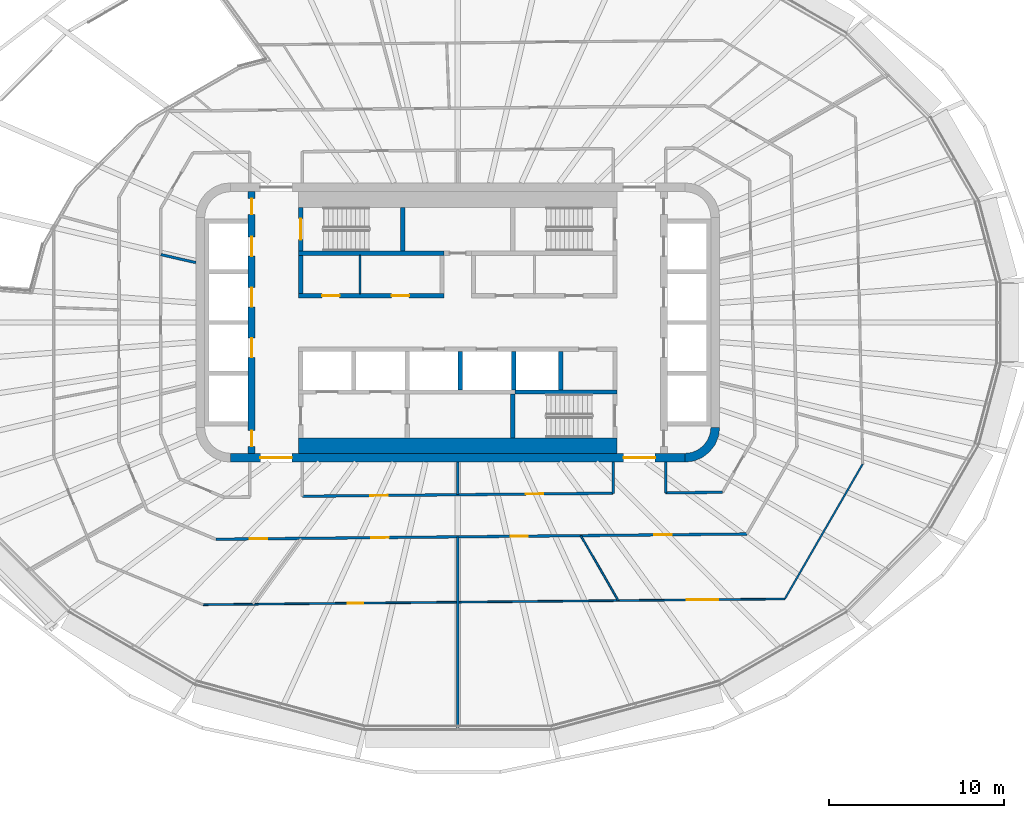
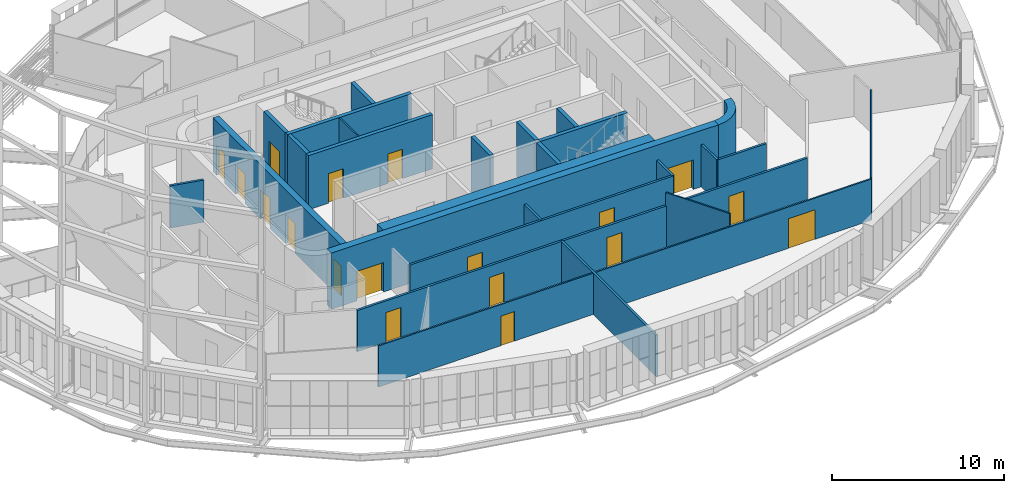
# One storey, part 12 of 22: 26 walls, 18 doors, 18 openings.
"""IFC4 building model written with IfcOpenShell, lengths in metres."""

import ifcopenshell
import ifcopenshell.guid

model = None  # the IFC model being written
_history = None  # IfcOwnerHistory: only IFC2X3 demands one
_inside = {}  # id of a spatial element -> (the spatial element, [elements in it])
_under = {}  # id of a project, library or spatial element -> (it, [spatial elements below it])
_declared = {}  # id of a project -> (the project, [libraries it declares])
_typed = {}  # id of a type object -> (the type object, [elements of that type])
_made_of = {}  # id of a material, layer set ... -> (it, [elements and type objects made of it])


def new_model(schema):
    """Start an empty IFC model of exactly this schema.

    Asked for "IFC4X3", IfcOpenShell would pick the latest addendum, in which some entities
    have other attributes; the version numbers below select the first issue.
    IFC2X3 requires an IfcOwnerHistory on every rooted entity: one is made here for all.
    """
    global model, _history
    if schema == "IFC4X3":
        model = ifcopenshell.file(schema_version=(4, 3, 0, 0))
    else:
        model = ifcopenshell.file(schema=schema)
    _inside.clear()
    _under.clear()
    _declared.clear()
    _typed.clear()
    _made_of.clear()
    _history = None
    if model.schema == "IFC2X3":
        org = make("IfcOrganization", Name="unknown")
        user = make(
            "IfcPersonAndOrganization",
            ThePerson=make("IfcPerson", FamilyName="unknown"),
            TheOrganization=org,
        )
        app = make(
            "IfcApplication",
            ApplicationDeveloper=org,
            Version="unknown",
            ApplicationFullName="unknown",
            ApplicationIdentifier="unknown",
        )
        _history = make(
            "IfcOwnerHistory",
            OwningUser=user,
            OwningApplication=app,
            ChangeAction="ADDED",
            CreationDate=0,
        )
    return model


def make(cls, **values):
    """One entity of the class cls with the attributes given. An attribute that is None is left unset."""
    return model.create_entity(
        cls, **{name: value for name, value in values.items() if value is not None}
    )


def rooted(cls, **values):
    """An entity with a GlobalId (a new one), such as an element, a storey or a relation."""
    return make(cls, GlobalId=ifcopenshell.guid.new(), OwnerHistory=_history, **values)


def si_unit(unit_type, name, prefix=None):
    """IfcSIUnit, for example si_unit("LENGTHUNIT", "METRE", prefix="MILLI")."""
    return make("IfcSIUnit", UnitType=unit_type, Prefix=prefix, Name=name)


def assignment(units):
    """IfcUnitAssignment: the units of a project."""
    return None if units is None else make("IfcUnitAssignment", Units=units)


def point(xyz):
    """IfcCartesianPoint."""
    return None if xyz is None else make("IfcCartesianPoint", Coordinates=xyz)


def direction(xyz):
    """IfcDirection."""
    return None if xyz is None else make("IfcDirection", DirectionRatios=xyz)


def frame(location, z_axis=None, x_axis=None):
    """IfcAxis2Placement3D, a coordinate frame: its origin and axes. An axis left out is left unset."""
    return make(
        "IfcAxis2Placement3D",
        Location=point(location),
        Axis=direction(z_axis),
        RefDirection=direction(x_axis),
    )


def frame_2d(location, x_axis=None):
    """IfcAxis2Placement2D, a coordinate frame in the plane: its origin and x axis."""
    return make(
        "IfcAxis2Placement2D", Location=point(location), RefDirection=direction(x_axis)
    )


def origin():
    """The frame at (0, 0, 0) with its axes left unset."""
    return frame((0.0, 0.0, 0.0))


def place(relative_to, where):
    """IfcLocalPlacement: puts the frame where relative to a parent placement (None: the world)."""
    return make(
        "IfcLocalPlacement", PlacementRelTo=relative_to, RelativePlacement=where
    )


def context(
    kind, dimensions, precision=None, world=None, true_north=None, identifier=None
):
    """IfcGeometricRepresentationContext, for example the 3D "Model" context."""
    return make(
        "IfcGeometricRepresentationContext",
        ContextIdentifier=identifier,
        ContextType=kind,
        CoordinateSpaceDimension=dimensions,
        Precision=precision,
        WorldCoordinateSystem=world,
        TrueNorth=true_north,
    )


def subcontext(parent, identifier, kind, view, scale=None):
    """IfcGeometricRepresentationSubContext, for example "Body" below "Model"."""
    return make(
        "IfcGeometricRepresentationSubContext",
        ContextIdentifier=identifier,
        ContextType=kind,
        ParentContext=parent,
        TargetScale=scale,
        TargetView=view,
    )


def project(units=None, contexts=None):
    """IfcProject with its units and contexts."""
    return rooted(
        "IfcProject",
        Name="project",
        RepresentationContexts=contexts,
        UnitsInContext=assignment(units),
    )


def spatial(cls, under=None, at=None, **own):
    """A site, building, storey or space (cls), placed at a placement, below another one or the project."""
    s = rooted(cls, ObjectPlacement=at, **own)
    if under is not None:
        _under.setdefault(under.id(), (under, []))[1].append(s)
    return s


def polyline(points):
    """IfcPolyline through the points."""
    return make("IfcPolyline", Points=[point(p) for p in points])


def profile(cls, at=None, kind="AREA", **sizes):
    """A parametric profile (cls). Its sizes go by their IFC names, for example OverallWidth=200.0."""
    return make(cls, ProfileType=kind, Position=at, **sizes)


def rectangle(**sizes):
    """IfcRectangleProfileDef."""
    return profile("IfcRectangleProfileDef", **sizes)


def outline(outer, holes=None, kind="AREA"):
    """IfcArbitraryClosedProfileDef: a profile drawn as a closed curve; with holes, ...WithVoids."""
    if holes is None:
        return make("IfcArbitraryClosedProfileDef", ProfileType=kind, OuterCurve=outer)
    return make(
        "IfcArbitraryProfileDefWithVoids",
        ProfileType=kind,
        OuterCurve=outer,
        InnerCurves=holes,
    )


def extrude(swept, where, along, depth):
    """IfcExtrudedAreaSolid: the profile swept, set in the frame where, extruded along a direction by depth."""
    return make(
        "IfcExtrudedAreaSolid",
        SweptArea=swept,
        Position=where,
        ExtrudedDirection=direction(along),
        Depth=depth,
    )


def shape(context_of_items, identifier, shape_type, items):
    """IfcShapeRepresentation: the items that make up one representation, for example the "Body"."""
    return make(
        "IfcShapeRepresentation",
        ContextOfItems=context_of_items,
        RepresentationIdentifier=identifier,
        RepresentationType=shape_type,
        Items=items,
    )


def material(Name=None, Category=None):
    """IfcMaterial."""
    return make("IfcMaterial", Name=Name, Category=Category)


def layer(
    of_material, thickness, ventilated=None, Name=None, Category=None, Priority=None
):
    """IfcMaterialLayer: one layer of a wall or slab, of a material (None: an air gap)."""
    return make(
        "IfcMaterialLayer",
        Material=of_material,
        LayerThickness=thickness,
        IsVentilated=ventilated,
        Name=Name,
        Category=Category,
        Priority=Priority,
    )


def layer_set(layers, Name=None):
    """IfcMaterialLayerSet."""
    return make("IfcMaterialLayerSet", MaterialLayers=layers, LayerSetName=Name)


def made_of(thing, what):
    """Note that an element or type object is made of a material, layer set ...; save() writes the relation."""
    if what is not None:
        _made_of.setdefault(what.id(), (what, []))[1].append(thing)
    return thing


def type_object(cls, material=None, **own):
    """A type object (cls), such as IfcWallType, which elements share."""
    return made_of(rooted(cls, **own), material)


def element(
    cls,
    number,
    at=None,
    inside=None,
    cuts=None,
    type_object=None,
    material=None,
    context=None,
    identifier="Body",
    shape_type=None,
    held_by="IfcProductDefinitionShape",
    body=None,
    shapes=None,
    **own,
):
    """One element of the class cls, such as IfcWall. Its Tag is "e" and its number.

    at: its placement. inside: the storey or other place that contains it. cuts: it is an
    opening in that element (IfcRelVoidsElement). A single representation is given by context,
    identifier, shape_type and body (its items); several are given by shapes. held_by: the class
    of the entity that holds the representations. save() writes the other relations.
    """
    e = rooted(cls, Tag="e%d" % number, ObjectPlacement=at, **own)
    if body is not None:
        shapes = [shape(context, identifier, shape_type, body)]
    if shapes is not None:
        e.Representation = make(held_by, Representations=shapes)
    if inside is not None:
        _inside.setdefault(inside.id(), (inside, []))[1].append(e)
    if cuts is not None:
        rooted(
            "IfcRelVoidsElement", RelatingBuildingElement=cuts, RelatedOpeningElement=e
        )
    if type_object is not None:
        _typed.setdefault(type_object.id(), (type_object, []))[1].append(e)
    return made_of(e, material)


def fill(opening, filler):
    """IfcRelFillsElement: the door or window that sits in an opening."""
    return rooted(
        "IfcRelFillsElement",
        RelatingOpeningElement=opening,
        RelatedBuildingElement=filler,
    )


def aggregate(whole, parts):
    """IfcRelAggregates: a whole, such as a stair, and the parts it consists of."""
    return rooted("IfcRelAggregates", RelatingObject=whole, RelatedObjects=parts)


def save(model, path):
    """Write the relations noted so far, then the file.

    IfcRelAggregates (storeys below a building ...), IfcRelContainedInSpatialStructure (elements
    in a storey), IfcRelDefinesByType, IfcRelAssociatesMaterial and IfcRelDeclares: one each for
    every whole, place, type object, material and project.
    """
    for whole, parts in _under.values():
        aggregate(whole, parts)
    for where, things in _inside.values():
        rooted(
            "IfcRelContainedInSpatialStructure",
            RelatedElements=things,
            RelatingStructure=where,
        )
    for kind, things in _typed.values():
        rooted("IfcRelDefinesByType", RelatedObjects=things, RelatingType=kind)
    for what, things in _made_of.values():
        rooted("IfcRelAssociatesMaterial", RelatedObjects=things, RelatingMaterial=what)
    for by, libraries in _declared.values():
        rooted("IfcRelDeclares", RelatingContext=by, RelatedDefinitions=libraries)
    model.write(path)


model = new_model("IFC4")

# Units and contexts
model_context = context("Model", 3, precision=1e-05, world=origin(), true_north=direction((0.0, 1.0)))
body_context = subcontext(model_context, "Body", "Model", "MODEL_VIEW")
ifc_project = project(units=[si_unit("LENGTHUNIT", "METRE"), si_unit("AREAUNIT", "SQUARE_METRE"), si_unit("VOLUMEUNIT", "CUBIC_METRE"), si_unit("PLANEANGLEUNIT", "RADIAN"), si_unit("MASSUNIT", "GRAM", prefix="KILO")], contexts=[model_context])

# Site, building, storey
site_placement = place(None, origin())
site = spatial("IfcSite", under=ifc_project, at=site_placement, CompositionType="ELEMENT")
building_placement = place(site_placement, origin())
building = spatial("IfcBuilding", under=site, at=building_placement, Name="Sahrelin Media Tower", CompositionType="ELEMENT")
storey_placement = place(building_placement, frame((0.0, 0.0, 177.60009765625)))
storey = spatial("IfcBuildingStorey", under=building, at=storey_placement, Name="L37", CompositionType="ELEMENT", Elevation=177.60009765625)

# Wall, openings, doors
ifc_material_1 = material(Name="Concrete C60/75", Category="concrete")
ifc_layer_1 = layer(ifc_material_1, 0.5)
ifc_layer_set_1 = layer_set([ifc_layer_1], Name="Core wall 500")
wall_type_1 = type_object("IfcWallType", Name="Core wall 500", PredefinedType="SHEAR", material=ifc_layer_set_1)
wall_1_placement = place(storey_placement, frame((-13.0, -7.75, 0.0), z_axis=(0.0, 0.0, 1.0), x_axis=(1.0, 0.0, 0.0)))
wall_1 = element("IfcWall", 1, at=wall_1_placement, inside=storey, type_object=wall_type_1, Name="Core wall S L37", PredefinedType="SHEAR", context=body_context, shape_type="SweptSolid", body=[
    extrude(rectangle(XDim=26.0, YDim=0.5, at=frame_2d((13.0, 0.0))), origin(), (0.0, 0.0, 1.0), 4.0),
])
opening_1_placement = place(wall_1_placement, frame((1.699951171875, 0.0, 0.0)))
opening_1 = element("IfcOpeningElement", 2, at=opening_1_placement, cuts=wall_1, Name="Opening L37-D18", PredefinedType="OPENING", context=body_context, shape_type="SweptSolid", body=[
    extrude(rectangle(XDim=1.800048828125, YDim=2.10009765625, at=frame_2d((0.89990234375, 1.050048828125))), frame((0.0, 0.25, 0.0), z_axis=(0.0, -1.0, 0.0), x_axis=(1.0, 0.0, 0.0)), (0.0, 0.0, 1.0), 0.5),
])
opening_2_placement = place(wall_1_placement, frame((22.5, 0.0, 0.0)))
opening_2 = element("IfcOpeningElement", 3, at=opening_2_placement, cuts=wall_1, Name="Opening L37-D19", PredefinedType="OPENING", context=body_context, shape_type="SweptSolid", body=[
    extrude(rectangle(XDim=1.800048828125, YDim=2.10009765625, at=frame_2d((0.89990234375, 1.050048828125))), frame((0.0, 0.25, 0.0), z_axis=(0.0, -1.0, 0.0), x_axis=(1.0, 0.0, 0.0)), (0.0, 0.0, 1.0), 0.5),
])
ifc_material_2 = material(Name="Steel fire door leaf", Category="steel")
door_type_1 = type_object("IfcDoorType", Name="Lobby double door 1800 x 2100 EI 60", OperationType="DOUBLE_DOOR_SINGLE_SWING", PredefinedType="DOOR", material=ifc_material_2)
door_1_placement = place(opening_1_placement, origin())
door_1 = element("IfcDoor", 4, at=door_1_placement, inside=storey, type_object=door_type_1, Name="Lobby door", OperationType="DOUBLE_DOOR_SINGLE_SWING", OverallHeight=2.10009765625, OverallWidth=1.800048828125, PredefinedType="DOOR", context=body_context, shape_type="SweptSolid", body=[
    extrude(rectangle(XDim=1.800048828125, YDim=2.10009765625, at=frame_2d((0.89990234375, 1.050048828125))), frame((0.0, 0.02490234375, 0.0), z_axis=(0.0, -1.0, 0.0), x_axis=(1.0, 0.0, 0.0)), (0.0, 0.0, 1.0), 0.050048828125),
])
fill(opening_1, door_1)
door_2_placement = place(opening_2_placement, origin())
door_2 = element("IfcDoor", 5, at=door_2_placement, inside=storey, type_object=door_type_1, Name="Lobby door", OperationType="DOUBLE_DOOR_SINGLE_SWING", OverallHeight=2.10009765625, OverallWidth=1.800048828125, PredefinedType="DOOR", context=body_context, shape_type="SweptSolid", body=[
    extrude(rectangle(XDim=1.800048828125, YDim=2.10009765625, at=frame_2d((0.89990234375, 1.050048828125))), frame((0.0, 0.02490234375, 0.0), z_axis=(0.0, -1.0, 0.0), x_axis=(1.0, 0.0, 0.0)), (0.0, 0.0, 1.0), 0.050048828125),
])
fill(opening_2, door_2)

# Wall
wall_2_placement = place(storey_placement, origin())
element("IfcWall", 6, at=wall_2_placement, inside=storey, type_object=wall_type_1, Name="Core wall corner SE L37", PredefinedType="SHEAR", context=body_context, shape_type="SweptSolid", body=[
    extrude(outline(polyline([(15.0, -6.0), (14.49560546875, -6.0), (14.44482421875, -6.38720703125), (14.29541015625, -6.747802734375), (14.0576171875, -7.0576171875), (13.747802734375, -7.29541015625), (13.38720703125, -7.44482421875), (13.0, -7.49560546875), (13.0, -8.0), (13.517578125, -7.931884765625), (14.0, -7.732177734375), (14.414306640625, -7.414306640625), (14.732177734375, -7.0), (14.931884765625, -6.517578125), (15.0, -6.0)])), origin(), (0.0, 0.0, 1.0), 4.0),
])

# Wall, openings, doors
ifc_material_3 = material(Name="Fire-rated gypsum board partition")
ifc_layer_2 = layer(ifc_material_3, 0.25)
ifc_layer_set_2 = layer_set([ifc_layer_2], Name="Fire-rated lobby wall 250")
wall_type_2 = type_object("IfcWallType", Name="Fire-rated lobby wall 250", PredefinedType="PARTITIONING", material=ifc_layer_set_2)
wall_3_placement = place(storey_placement, frame((-9.125, 1.52490234375, 0.0), z_axis=(0.0, 0.0, 1.0), x_axis=(1.0, 0.0, 0.0)))
wall_3 = element("IfcWall", 7, at=wall_3_placement, inside=storey, type_object=wall_type_2, Name="Core lobby wall", PredefinedType="PARTITIONING", context=body_context, shape_type="SweptSolid", body=[
    extrude(rectangle(XDim=8.35009765625, YDim=0.25, at=frame_2d((4.175048828125, 0.0))), origin(), (0.0, 0.0, 1.0), 3.849853515625),
])
opening_3_placement = place(wall_3_placement, frame((1.362548828125, 0.0, 0.0)))
opening_3 = element("IfcOpeningElement", 8, at=opening_3_placement, cuts=wall_3, Name="Opening L37-D07", PredefinedType="OPENING", context=body_context, shape_type="SweptSolid", body=[
    extrude(rectangle(XDim=1.0, YDim=2.10009765625, at=frame_2d((0.5, 1.050048828125))), frame((0.0, 0.125, 0.0), z_axis=(0.0, -1.0, 0.0), x_axis=(1.0, 0.0, 0.0)), (0.0, 0.0, 1.0), 0.25),
])
opening_4_placement = place(wall_3_placement, frame((5.33740234375, 0.0, 0.0)))
opening_4 = element("IfcOpeningElement", 9, at=opening_4_placement, cuts=wall_3, Name="Opening L37-D08", PredefinedType="OPENING", context=body_context, shape_type="SweptSolid", body=[
    extrude(rectangle(XDim=1.0, YDim=2.10009765625, at=frame_2d((0.5, 1.050048828125))), frame((0.0, 0.125, 0.0), z_axis=(0.0, -1.0, 0.0), x_axis=(1.0, 0.0, 0.0)), (0.0, 0.0, 1.0), 0.25),
])
door_type_2 = type_object("IfcDoorType", Name="Fire door 1000 x 2100 EI 60", OperationType="NOTDEFINED", PredefinedType="DOOR", material=ifc_material_2)
door_3_placement = place(opening_3_placement, origin())
door_3 = element("IfcDoor", 10, at=door_3_placement, inside=storey, type_object=door_type_2, Name="Core room door", OperationType="SINGLE_SWING_LEFT", OverallHeight=2.10009765625, OverallWidth=1.0, PredefinedType="DOOR", context=body_context, shape_type="SweptSolid", body=[
    extrude(rectangle(XDim=1.0, YDim=2.10009765625, at=frame_2d((0.5, 1.050048828125))), frame((0.0, 0.02490234375, 0.0), z_axis=(0.0, -1.0, 0.0), x_axis=(1.0, 0.0, 0.0)), (0.0, 0.0, 1.0), 0.050048828125),
])
fill(opening_3, door_3)
door_4_placement = place(opening_4_placement, origin())
door_4 = element("IfcDoor", 11, at=door_4_placement, inside=storey, type_object=door_type_2, Name="Core room door", OperationType="SINGLE_SWING_LEFT", OverallHeight=2.10009765625, OverallWidth=1.0, PredefinedType="DOOR", context=body_context, shape_type="SweptSolid", body=[
    extrude(rectangle(XDim=1.0, YDim=2.10009765625, at=frame_2d((0.5, 1.050048828125))), frame((0.0, 0.02490234375, 0.0), z_axis=(0.0, -1.0, 0.0), x_axis=(1.0, 0.0, 0.0)), (0.0, 0.0, 1.0), 0.050048828125),
])
fill(opening_4, door_4)

# Walls
wall_4_placement = place(storey_placement, frame((-9.0, 1.64990234375, 0.0), z_axis=(0.0, 0.0, 1.0), x_axis=(0.0, 1.0, 0.0)))
element("IfcWall", 12, at=wall_4_placement, inside=storey, type_object=wall_type_2, Name="Core lobby wall", PredefinedType="PARTITIONING", context=body_context, shape_type="SweptSolid", body=[
    extrude(rectangle(XDim=2.2001953125, YDim=0.25, at=frame_2d((1.10009765625, 0.0))), origin(), (0.0, 0.0, 1.0), 3.849853515625),
])
ifc_layer_3 = layer(ifc_material_3, 0.10009765625)
ifc_layer_set_3 = layer_set([ifc_layer_3], Name="Fire-rated partition 100")
wall_type_3 = type_object("IfcWallType", Name="Fire-rated partition 100", PredefinedType="PARTITIONING", material=ifc_layer_set_3)
wall_5_placement = place(storey_placement, frame((-5.60009765625, 1.64990234375, 0.0), z_axis=(0.0, 0.0, 1.0), x_axis=(0.0, 1.0, 0.0)))
element("IfcWall", 13, at=wall_5_placement, inside=storey, type_object=wall_type_3, Name="Core room partition", PredefinedType="PARTITIONING", context=body_context, shape_type="SweptSolid", body=[
    extrude(rectangle(XDim=2.2001953125, YDim=0.10009765625, at=frame_2d((1.10009765625, 0.0))), origin(), (0.0, 0.0, 1.0), 3.849853515625),
])
ifc_layer_4 = layer(ifc_material_3, 0.14990234375)
ifc_layer_set_4 = layer_set([ifc_layer_4], Name="Fire-rated partition 150")
wall_type_4 = type_object("IfcWallType", Name="Fire-rated partition 150", PredefinedType="PARTITIONING", material=ifc_layer_set_4)
wall_6_placement = place(storey_placement, frame((-17.0, 3.889892578125, 0.0), z_axis=(0.0, 0.0, 1.0), x_axis=(0.974792736312, -0.223112351146, 0.0)))
element("IfcWall", 14, at=wall_6_placement, inside=storey, type_object=wall_type_4, Name="Wall", PredefinedType="PARTITIONING", context=body_context, shape_type="SweptSolid", body=[
    extrude(rectangle(XDim=2.0517578125, YDim=0.14990234375, at=frame_2d((1.02587890625, 0.0))), origin(), (0.0, 0.0, 1.0), 2.994873046875),
])

# Wall, openings, doors
wall_7_placement = place(storey_placement, frame((-13.85498046875, -12.409423828125, 0.0), z_axis=(0.0, 0.0, 1.0), x_axis=(0.999951009258, 0.009898438446, 0.0)))
wall_7 = element("IfcWall", 15, at=wall_7_placement, inside=storey, type_object=wall_type_4, Name="Wall", PredefinedType="PARTITIONING", context=body_context, shape_type="SweptSolid", body=[
    extrude(rectangle(XDim=30.411376953125, YDim=0.14990234375, at=frame_2d((15.20556640625, 0.0))), origin(), (0.0, 0.0, 1.0), 2.927001953125),
])
opening_5_placement = place(wall_7_placement, frame((16.87744140625, 0.0, 0.0)))
opening_5 = element("IfcOpeningElement", 16, at=opening_5_placement, cuts=wall_7, Name="Opening L37-D30", PredefinedType="OPENING", context=body_context, shape_type="SweptSolid", body=[
    extrude(rectangle(XDim=1.0, YDim=2.10009765625, at=frame_2d((0.5, 1.050048828125))), frame((0.0, 0.074951171875, 0.0), z_axis=(0.0, -1.0, 0.0), x_axis=(1.0, 0.0, 0.0)), (0.0, 0.0, 1.0), 0.14990234375),
])
opening_6_placement = place(wall_7_placement, frame((25.10595703125, 0.0, 0.0)))
opening_6 = element("IfcOpeningElement", 17, at=opening_6_placement, cuts=wall_7, Name="Opening L37-D31", PredefinedType="OPENING", context=body_context, shape_type="SweptSolid", body=[
    extrude(rectangle(XDim=1.0, YDim=2.10009765625, at=frame_2d((0.5, 1.050048828125))), frame((0.0, 0.074951171875, 0.0), z_axis=(0.0, -1.0, 0.0), x_axis=(1.0, 0.0, 0.0)), (0.0, 0.0, 1.0), 0.14990234375),
])
opening_7_placement = place(wall_7_placement, frame((1.93701171875, 0.0, 0.0)))
opening_7 = element("IfcOpeningElement", 18, at=opening_7_placement, cuts=wall_7, Name="Opening L37-D47", PredefinedType="OPENING", context=body_context, shape_type="SweptSolid", body=[
    extrude(rectangle(XDim=1.0, YDim=2.10009765625, at=frame_2d((0.5, 1.050048828125))), frame((0.0, 0.074951171875, 0.0), z_axis=(0.0, -1.0, 0.0), x_axis=(1.0, 0.0, 0.0)), (0.0, 0.0, 1.0), 0.14990234375),
])
opening_8_placement = place(wall_7_placement, frame((8.915283203125, 0.0, 0.0)))
opening_8 = element("IfcOpeningElement", 19, at=opening_8_placement, cuts=wall_7, Name="Opening L37-D48", PredefinedType="OPENING", context=body_context, shape_type="SweptSolid", body=[
    extrude(rectangle(XDim=1.0, YDim=2.10009765625, at=frame_2d((0.5, 1.050048828125))), frame((0.0, 0.074951171875, 0.0), z_axis=(0.0, -1.0, 0.0), x_axis=(1.0, 0.0, 0.0)), (0.0, 0.0, 1.0), 0.14990234375),
])
door_5_placement = place(opening_5_placement, origin())
door_5 = element("IfcDoor", 20, at=door_5_placement, inside=storey, type_object=door_type_2, Name="Fire door", OperationType="SINGLE_SWING_RIGHT", OverallHeight=2.10009765625, OverallWidth=1.0, PredefinedType="DOOR", context=body_context, shape_type="SweptSolid", body=[
    extrude(rectangle(XDim=1.0, YDim=2.10009765625, at=frame_2d((0.5, 1.050048828125))), frame((0.0, 0.02490234375, 0.0), z_axis=(0.0, -1.0, 0.0), x_axis=(1.0, 0.0, 0.0)), (0.0, 0.0, 1.0), 0.050048828125),
])
fill(opening_5, door_5)
door_6_placement = place(opening_6_placement, origin())
door_6 = element("IfcDoor", 21, at=door_6_placement, inside=storey, type_object=door_type_2, Name="Fire door", OperationType="SINGLE_SWING_RIGHT", OverallHeight=2.10009765625, OverallWidth=1.0, PredefinedType="DOOR", context=body_context, shape_type="SweptSolid", body=[
    extrude(rectangle(XDim=1.0, YDim=2.10009765625, at=frame_2d((0.5, 1.050048828125))), frame((0.0, 0.02490234375, 0.0), z_axis=(0.0, -1.0, 0.0), x_axis=(1.0, 0.0, 0.0)), (0.0, 0.0, 1.0), 0.050048828125),
])
fill(opening_6, door_6)
door_7_placement = place(opening_7_placement, origin())
door_7 = element("IfcDoor", 22, at=door_7_placement, inside=storey, type_object=door_type_2, Name="Fire door", OperationType="SINGLE_SWING_LEFT", OverallHeight=2.10009765625, OverallWidth=1.0, PredefinedType="DOOR", context=body_context, shape_type="SweptSolid", body=[
    extrude(rectangle(XDim=1.0, YDim=2.10009765625, at=frame_2d((0.5, 1.050048828125))), frame((0.0, 0.02490234375, 0.0), z_axis=(0.0, -1.0, 0.0), x_axis=(1.0, 0.0, 0.0)), (0.0, 0.0, 1.0), 0.050048828125),
])
fill(opening_7, door_7)
door_8_placement = place(opening_8_placement, origin())
door_8 = element("IfcDoor", 23, at=door_8_placement, inside=storey, type_object=door_type_2, Name="Fire door", OperationType="SINGLE_SWING_LEFT", OverallHeight=2.10009765625, OverallWidth=1.0, PredefinedType="DOOR", context=body_context, shape_type="SweptSolid", body=[
    extrude(rectangle(XDim=1.0, YDim=2.10009765625, at=frame_2d((0.5, 1.050048828125))), frame((0.0, 0.02490234375, 0.0), z_axis=(0.0, -1.0, 0.0), x_axis=(1.0, 0.0, 0.0)), (0.0, 0.0, 1.0), 0.050048828125),
])
fill(opening_8, door_8)

wall_8_placement = place(storey_placement, frame((-8.89990234375, -9.948974609375, 0.0), z_axis=(0.0, 0.0, 1.0), x_axis=(0.999950969978, 0.009902405776, 0.0)))
wall_8 = element("IfcWall", 24, at=wall_8_placement, inside=storey, type_object=wall_type_4, Name="Wall", PredefinedType="PARTITIONING", context=body_context, shape_type="SweptSolid", body=[
    extrude(rectangle(XDim=17.80078125, YDim=0.14990234375, at=frame_2d((8.900390625, 0.0))), origin(), (0.0, 0.0, 1.0), 2.927001953125),
])
opening_9_placement = place(wall_8_placement, frame((3.900390625, 0.0, 0.0)))
opening_9 = element("IfcOpeningElement", 25, at=opening_9_placement, cuts=wall_8, Name="Opening L37-D20", PredefinedType="OPENING", context=body_context, shape_type="SweptSolid", body=[
    extrude(rectangle(XDim=1.0, YDim=2.10009765625, at=frame_2d((0.5, 1.050048828125))), frame((0.0, 0.074951171875, 0.0), z_axis=(0.0, -1.0, 0.0), x_axis=(1.0, 0.0, 0.0)), (0.0, 0.0, 1.0), 0.14990234375),
])
opening_10_placement = place(wall_8_placement, frame((12.80078125, 0.0, 0.0)))
opening_10 = element("IfcOpeningElement", 26, at=opening_10_placement, cuts=wall_8, Name="Opening L37-D21", PredefinedType="OPENING", context=body_context, shape_type="SweptSolid", body=[
    extrude(rectangle(XDim=1.0, YDim=2.10009765625, at=frame_2d((0.5, 1.050048828125))), frame((0.0, 0.074951171875, 0.0), z_axis=(0.0, -1.0, 0.0), x_axis=(1.0, 0.0, 0.0)), (0.0, 0.0, 1.0), 0.14990234375),
])
door_9_placement = place(opening_9_placement, origin())
door_9 = element("IfcDoor", 27, at=door_9_placement, inside=storey, type_object=door_type_2, Name="Fire door", OperationType="SINGLE_SWING_LEFT", OverallHeight=2.10009765625, OverallWidth=1.0, PredefinedType="DOOR", context=body_context, shape_type="SweptSolid", body=[
    extrude(rectangle(XDim=1.0, YDim=2.10009765625, at=frame_2d((0.5, 1.050048828125))), frame((0.0, 0.02490234375, 0.0), z_axis=(0.0, -1.0, 0.0), x_axis=(1.0, 0.0, 0.0)), (0.0, 0.0, 1.0), 0.050048828125),
])
fill(opening_9, door_9)
door_10_placement = place(opening_10_placement, origin())
door_10 = element("IfcDoor", 28, at=door_10_placement, inside=storey, type_object=door_type_2, Name="Fire door", OperationType="SINGLE_SWING_LEFT", OverallHeight=2.10009765625, OverallWidth=1.0, PredefinedType="DOOR", context=body_context, shape_type="SweptSolid", body=[
    extrude(rectangle(XDim=1.0, YDim=2.10009765625, at=frame_2d((0.5, 1.050048828125))), frame((0.0, 0.02490234375, 0.0), z_axis=(0.0, -1.0, 0.0), x_axis=(1.0, 0.0, 0.0)), (0.0, 0.0, 1.0), 0.050048828125),
])
fill(opening_10, door_10)

# Walls
wall_9_placement = place(storey_placement, frame((11.89990234375, -9.7529296875, 0.0), z_axis=(0.0, 0.0, 1.0), x_axis=(0.999951172082, 0.009881976096, 0.0)))
element("IfcWall", 29, at=wall_9_placement, inside=storey, type_object=wall_type_4, Name="Wall", PredefinedType="PARTITIONING", context=body_context, shape_type="SweptSolid", body=[
    extrude(rectangle(XDim=3.26123046875, YDim=0.14990234375, at=frame_2d((1.630615234375, 0.0))), origin(), (0.0, 0.0, 1.0), 2.994873046875),
])
wall_10_placement = place(storey_placement, frame((11.89990234375, -9.7529296875, 0.0), z_axis=(0.0, 0.0, 1.0), x_axis=(0.0, 1.0, 0.0)))
element("IfcWall", 30, at=wall_10_placement, inside=storey, type_object=wall_type_4, Name="Wall", PredefinedType="PARTITIONING", context=body_context, shape_type="SweptSolid", body=[
    extrude(rectangle(XDim=1.7529296875, YDim=0.14990234375, at=frame_2d((0.87646484375, 0.0))), origin(), (0.0, 0.0, 1.0), 2.994873046875),
])
wall_11_placement = place(storey_placement, frame((8.89990234375, -9.782958984375, 0.0), z_axis=(0.0, 0.0, 1.0), x_axis=(0.0, 1.0, 0.0)))
element("IfcWall", 31, at=wall_11_placement, inside=storey, type_object=wall_type_4, Name="Wall", PredefinedType="PARTITIONING", context=body_context, shape_type="SweptSolid", body=[
    extrude(rectangle(XDim=1.782958984375, YDim=0.14990234375, at=frame_2d((0.8916015625, 0.0))), origin(), (0.0, 0.0, 1.0), 2.927001953125),
])
wall_12_placement = place(storey_placement, frame((0.0, -23.324951171875, 0.0), z_axis=(0.0, 0.0, 1.0), x_axis=(0.0, 1.0, 0.0)))
element("IfcWall", 32, at=wall_12_placement, inside=storey, type_object=wall_type_4, Name="Wall", PredefinedType="PARTITIONING", context=body_context, shape_type="SweptSolid", body=[
    extrude(rectangle(XDim=11.053955078125, YDim=0.14990234375, at=frame_2d((5.52685546875, 0.0))), origin(), (0.0, 0.0, 1.0), 2.927001953125),
])
wall_13_placement = place(storey_placement, frame((0.0, -9.861083984375, 0.0), z_axis=(0.0, 0.0, 1.0), x_axis=(0.0, 1.0, 0.0)))
element("IfcWall", 33, at=wall_13_placement, inside=storey, type_object=wall_type_4, Name="Wall", PredefinedType="PARTITIONING", context=body_context, shape_type="SweptSolid", body=[
    extrude(rectangle(XDim=1.861083984375, YDim=0.14990234375, at=frame_2d((0.9306640625, 0.0))), origin(), (0.0, 0.0, 1.0), 2.927001953125),
])
ifc_layer_5 = layer(ifc_material_1, 0.25)
ifc_layer_set_5 = layer_set([ifc_layer_5], Name="Lift shaft wall 250")
wall_type_5 = type_object("IfcWallType", Name="Lift shaft wall 250", PredefinedType="SOLIDWALL", material=ifc_layer_set_5)
wall_14_placement = place(storey_placement, frame((3.27490234375, -3.97509765625, 0.0), z_axis=(0.0, 0.0, 1.0), x_axis=(1.0, 0.0, 0.0)))
element("IfcWall", 34, at=wall_14_placement, inside=storey, type_object=wall_type_5, Name="Lift shaft wall", PredefinedType="SOLIDWALL", context=body_context, shape_type="SweptSolid", body=[
    extrude(rectangle(XDim=5.85009765625, YDim=0.25, at=frame_2d((2.925048828125, 0.0))), origin(), (0.0, 0.0, 1.0), 3.849853515625),
])
for number, where, z_axis, x_axis, name in (
    (35, (0.14990234375, -3.85009765625, 0.0), (0.0, 0.0, 1.0), (0.0, 1.0, 0.0), "Lift shaft wall"),
    (36, (3.199951171875, -3.85009765625, 0.0), (0.0, 0.0, 1.0), (0.0, 1.0, 0.0), "Lift shaft wall"),
    (37, (5.89990234375, -3.85009765625, 0.0), (0.0, 0.0, 1.0), (0.0, 1.0, 0.0), "Lift shaft wall"),
):
    element("IfcWall", number, at=place(storey_placement, frame(where, z_axis=z_axis, x_axis=x_axis)), inside=storey, type_object=wall_type_5, Name=name, PredefinedType="SOLIDWALL", context=body_context, shape_type="SweptSolid", body=[
        extrude(rectangle(XDim=2.2001953125, YDim=0.25, at=frame_2d((1.10009765625, 0.0))), origin(), (0.0, 0.0, 1.0), 3.849853515625),
    ])

# Wall, openings, doors
ifc_layer_6 = layer(ifc_material_1, 0.39990234375)
ifc_layer_set_6 = layer_set([ifc_layer_6], Name="Lift shaft wall 400")
wall_type_6 = type_object("IfcWallType", Name="Lift shaft wall 400", PredefinedType="SOLIDWALL", material=ifc_layer_set_6)
wall_15_placement = place(storey_placement, frame((-11.800048828125, -7.5, 0.0), z_axis=(0.0, 0.0, 1.0), x_axis=(0.0, 1.0, 0.0)))
wall_15 = element("IfcWall", 38, at=wall_15_placement, inside=storey, type_object=wall_type_6, Name="Lift shaft wall", PredefinedType="SOLIDWALL", context=body_context, shape_type="SweptSolid", body=[
    extrude(rectangle(XDim=15.0, YDim=0.39990234375, at=frame_2d((7.5, 0.0))), origin(), (0.0, 0.0, 1.0), 3.849853515625),
])
opening_11_placement = place(wall_15_placement, frame((11.300048828125, 0.0, 0.0)))
opening_11 = element("IfcOpeningElement", 39, at=opening_11_placement, cuts=wall_15, Name="Opening L37-LD-LR1", PredefinedType="OPENING", context=body_context, shape_type="SweptSolid", body=[
    extrude(rectangle(XDim=1.10009765625, YDim=2.10009765625, at=frame_2d((0.550048828125, 1.050048828125))), frame((0.0, 0.199951171875, 0.0), z_axis=(0.0, -1.0, 0.0), x_axis=(1.0, 0.0, 0.0)), (0.0, 0.0, 1.0), 0.39990234375),
])
opening_12_placement = place(wall_15_placement, frame((8.39990234375, 0.0, 0.0)))
opening_12 = element("IfcOpeningElement", 40, at=opening_12_placement, cuts=wall_15, Name="Opening L37-LD-LR2", PredefinedType="OPENING", context=body_context, shape_type="SweptSolid", body=[
    extrude(rectangle(XDim=1.10009765625, YDim=2.10009765625, at=frame_2d((0.550048828125, 1.050048828125))), frame((0.0, 0.199951171875, 0.0), z_axis=(0.0, -1.0, 0.0), x_axis=(1.0, 0.0, 0.0)), (0.0, 0.0, 1.0), 0.39990234375),
])
opening_13_placement = place(wall_15_placement, frame((5.5, 0.0, 0.0)))
opening_13 = element("IfcOpeningElement", 41, at=opening_13_placement, cuts=wall_15, Name="Opening L37-LD-LR3", PredefinedType="OPENING", context=body_context, shape_type="SweptSolid", body=[
    extrude(rectangle(XDim=1.10009765625, YDim=2.10009765625, at=frame_2d((0.550048828125, 1.050048828125))), frame((0.0, 0.199951171875, 0.0), z_axis=(0.0, -1.0, 0.0), x_axis=(1.0, 0.0, 0.0)), (0.0, 0.0, 1.0), 0.39990234375),
])
opening_14_placement = place(wall_15_placement, frame((13.696533203125, 0.0, 0.0)))
opening_14 = element("IfcOpeningElement", 42, at=opening_14_placement, cuts=wall_15, Name="Opening L37-D12", PredefinedType="OPENING", context=body_context, shape_type="SweptSolid", body=[
    extrude(rectangle(XDim=0.89990234375, YDim=2.10009765625, at=frame_2d((0.449951171875, 1.050048828125))), frame((0.0, 0.199951171875, 0.0), z_axis=(0.0, -1.0, 0.0), x_axis=(1.0, 0.0, 0.0)), (0.0, 0.0, 1.0), 0.39990234375),
])
opening_15_placement = place(wall_15_placement, frame((0.4033203125, 0.0, 0.0)))
opening_15 = element("IfcOpeningElement", 43, at=opening_15_placement, cuts=wall_15, Name="Opening L37-D13", PredefinedType="OPENING", context=body_context, shape_type="SweptSolid", body=[
    extrude(rectangle(XDim=0.89990234375, YDim=2.10009765625, at=frame_2d((0.449951171875, 1.050048828125))), frame((0.0, 0.199951171875, 0.0), z_axis=(0.0, -1.0, 0.0), x_axis=(1.0, 0.0, 0.0)), (0.0, 0.0, 1.0), 0.39990234375),
])
ifc_material_4 = material(Name="Stainless steel", Category="steel")
door_type_3 = type_object("IfcDoorType", Name="Lift landing door 1100 x 2100 EI 120", OperationType="DOUBLE_DOOR_SLIDING", PredefinedType="DOOR", material=ifc_material_4)
door_11_placement = place(opening_11_placement, origin())
door_11 = element("IfcDoor", 44, at=door_11_placement, inside=storey, type_object=door_type_3, Name="Lift landing door LR1", OperationType="DOUBLE_DOOR_SLIDING", OverallHeight=2.10009765625, OverallWidth=1.10009765625, PredefinedType="DOOR", context=body_context, shape_type="SweptSolid", body=[
    extrude(rectangle(XDim=1.10009765625, YDim=2.10009765625, at=frame_2d((0.550048828125, 1.050048828125))), frame((0.0, 0.02490234375, 0.0), z_axis=(0.0, -1.0, 0.0), x_axis=(1.0, 0.0, 0.0)), (0.0, 0.0, 1.0), 0.050048828125),
])
fill(opening_11, door_11)
door_12_placement = place(opening_12_placement, origin())
door_12 = element("IfcDoor", 45, at=door_12_placement, inside=storey, type_object=door_type_3, Name="Lift landing door LR2", OperationType="DOUBLE_DOOR_SLIDING", OverallHeight=2.10009765625, OverallWidth=1.10009765625, PredefinedType="DOOR", context=body_context, shape_type="SweptSolid", body=[
    extrude(rectangle(XDim=1.10009765625, YDim=2.10009765625, at=frame_2d((0.550048828125, 1.050048828125))), frame((0.0, 0.02490234375, 0.0), z_axis=(0.0, -1.0, 0.0), x_axis=(1.0, 0.0, 0.0)), (0.0, 0.0, 1.0), 0.050048828125),
])
fill(opening_12, door_12)
door_13_placement = place(opening_13_placement, origin())
door_13 = element("IfcDoor", 46, at=door_13_placement, inside=storey, type_object=door_type_3, Name="Lift landing door LR3", OperationType="DOUBLE_DOOR_SLIDING", OverallHeight=2.10009765625, OverallWidth=1.10009765625, PredefinedType="DOOR", context=body_context, shape_type="SweptSolid", body=[
    extrude(rectangle(XDim=1.10009765625, YDim=2.10009765625, at=frame_2d((0.550048828125, 1.050048828125))), frame((0.0, 0.02490234375, 0.0), z_axis=(0.0, -1.0, 0.0), x_axis=(1.0, 0.0, 0.0)), (0.0, 0.0, 1.0), 0.050048828125),
])
fill(opening_13, door_13)
door_type_4 = type_object("IfcDoorType", Name="Riser door 900 x 2100 EI 120", OperationType="NOTDEFINED", PredefinedType="DOOR", material=ifc_material_2)
door_14_placement = place(opening_14_placement, origin())
door_14 = element("IfcDoor", 47, at=door_14_placement, inside=storey, type_object=door_type_4, Name="Riser door", OperationType="SINGLE_SWING_LEFT", OverallHeight=2.10009765625, OverallWidth=0.89990234375, PredefinedType="DOOR", context=body_context, shape_type="SweptSolid", body=[
    extrude(rectangle(XDim=0.89990234375, YDim=2.10009765625, at=frame_2d((0.449951171875, 1.050048828125))), frame((0.0, 0.02490234375, 0.0), z_axis=(0.0, -1.0, 0.0), x_axis=(1.0, 0.0, 0.0)), (0.0, 0.0, 1.0), 0.050048828125),
])
fill(opening_14, door_14)
door_15_placement = place(opening_15_placement, origin())
door_15 = element("IfcDoor", 48, at=door_15_placement, inside=storey, type_object=door_type_4, Name="Riser door", OperationType="SINGLE_SWING_LEFT", OverallHeight=2.10009765625, OverallWidth=0.89990234375, PredefinedType="DOOR", context=body_context, shape_type="SweptSolid", body=[
    extrude(rectangle(XDim=0.89990234375, YDim=2.10009765625, at=frame_2d((0.449951171875, 1.050048828125))), frame((0.0, 0.02490234375, 0.0), z_axis=(0.0, -1.0, 0.0), x_axis=(1.0, 0.0, 0.0)), (0.0, 0.0, 1.0), 0.050048828125),
])
fill(opening_15, door_15)

# Wall
ifc_material_5 = material(Name="Gypsum board partition")
ifc_layer_7 = layer(ifc_material_5, 0.10009765625)
ifc_layer_set_7 = layer_set([ifc_layer_7], Name="Partition 100")
wall_type_7 = type_object("IfcWallType", Name="Partition 100", PredefinedType="PARTITIONING", material=ifc_layer_set_7)
wall_16_placement = place(storey_placement, frame((7.0439453125, -12.200927734375, 0.0), z_axis=(0.0, 0.0, 1.0), x_axis=(0.500038958046, -0.866002910178, 0.0)))
element("IfcWall", 49, at=wall_16_placement, inside=storey, type_object=wall_type_7, Name="Wall", PredefinedType="PARTITIONING", context=body_context, shape_type="SweptSolid", body=[
    extrude(rectangle(XDim=4.295654296875, YDim=0.10009765625, at=frame_2d((2.14794921875, 0.0))), origin(), (0.0, 0.0, 1.0), 3.849853515625),
])

# Wall, openings, doors
wall_17_placement = place(storey_placement, frame((-14.58203125, -16.156005859375, 0.0), z_axis=(0.0, 0.0, 1.0), x_axis=(0.999951338757, 0.009865095958, 0.0)))
wall_17 = element("IfcWall", 50, at=wall_17_placement, inside=storey, type_object=wall_type_7, Name="Wall", PredefinedType="PARTITIONING", context=body_context, shape_type="SweptSolid", body=[
    extrude(rectangle(XDim=33.310791015625, YDim=0.10009765625, at=frame_2d((16.6552734375, 0.0))), origin(), (0.0, 0.0, 1.0), 2.927001953125),
])
opening_16_placement = place(wall_17_placement, frame((27.691650390625, 0.0, 0.0)))
opening_16 = element("IfcOpeningElement", 51, at=opening_16_placement, cuts=wall_17, Name="Opening L37-D32", PredefinedType="OPENING", context=body_context, shape_type="SweptSolid", body=[
    extrude(rectangle(XDim=1.800048828125, YDim=2.10009765625, at=frame_2d((0.89990234375, 1.050048828125))), frame((0.0, 0.050048828125, 0.0), z_axis=(0.0, -1.0, 0.0), x_axis=(1.0, 0.0, 0.0)), (0.0, 0.0, 1.0), 0.10009765625),
])
opening_17_placement = place(wall_17_placement, frame((8.2734375, 0.0, 0.0)))
opening_17 = element("IfcOpeningElement", 52, at=opening_17_placement, cuts=wall_17, Name="Opening L37-D49", PredefinedType="OPENING", context=body_context, shape_type="SweptSolid", body=[
    extrude(rectangle(XDim=0.89990234375, YDim=2.10009765625, at=frame_2d((0.449951171875, 1.050048828125))), frame((0.0, 0.050048828125, 0.0), z_axis=(0.0, -1.0, 0.0), x_axis=(1.0, 0.0, 0.0)), (0.0, 0.0, 1.0), 0.10009765625),
])
ifc_material_6 = material(Name="Timber door leaf", Category="wood")
door_type_5 = type_object("IfcDoorType", Name="Double door 1800 x 2100", OperationType="DOUBLE_DOOR_SINGLE_SWING", PredefinedType="DOOR", material=ifc_material_6)
door_16_placement = place(opening_16_placement, origin())
door_16 = element("IfcDoor", 53, at=door_16_placement, inside=storey, type_object=door_type_5, Name="Double door", OperationType="DOUBLE_DOOR_SINGLE_SWING", OverallHeight=2.10009765625, OverallWidth=1.800048828125, PredefinedType="DOOR", context=body_context, shape_type="SweptSolid", body=[
    extrude(rectangle(XDim=1.800048828125, YDim=2.10009765625, at=frame_2d((0.89990234375, 1.050048828125))), frame((0.0, 0.02490234375, 0.0), z_axis=(0.0, -1.0, 0.0), x_axis=(1.0, 0.0, 0.0)), (0.0, 0.0, 1.0), 0.050048828125),
])
fill(opening_16, door_16)
door_type_6 = type_object("IfcDoorType", Name="Single door 900 x 2100", OperationType="NOTDEFINED", PredefinedType="DOOR", material=ifc_material_6)
door_17_placement = place(opening_17_placement, origin())
door_17 = element("IfcDoor", 54, at=door_17_placement, inside=storey, type_object=door_type_6, Name="Single door", OperationType="SINGLE_SWING_LEFT", OverallHeight=2.10009765625, OverallWidth=0.89990234375, PredefinedType="DOOR", context=body_context, shape_type="SweptSolid", body=[
    extrude(rectangle(XDim=0.89990234375, YDim=2.10009765625, at=frame_2d((0.449951171875, 1.050048828125))), frame((0.0, 0.02490234375, 0.0), z_axis=(0.0, -1.0, 0.0), x_axis=(1.0, 0.0, 0.0)), (0.0, 0.0, 1.0), 0.050048828125),
])
fill(opening_17, door_17)

# Wall
wall_18_placement = place(storey_placement, frame((18.72705078125, -15.825927734375, 0.0), z_axis=(0.0, 0.0, 1.0), x_axis=(0.499931804057, 0.866064773151, 0.0)))
element("IfcWall", 55, at=wall_18_placement, inside=storey, type_object=wall_type_7, Name="Wall", PredefinedType="PARTITIONING", context=body_context, shape_type="SweptSolid", body=[
    extrude(rectangle(XDim=8.917236328125, YDim=0.10009765625, at=frame_2d((4.45849609375, 0.0))), origin(), (0.0, 0.0, 1.0), 2.994873046875),
])

# Wall, opening, door
ifc_layer_8 = layer(ifc_material_1, 0.25)
ifc_layer_set_8 = layer_set([ifc_layer_8], Name="Stair enclosure wall 250")
wall_type_8 = type_object("IfcWallType", Name="Stair enclosure wall 250", PredefinedType="SOLIDWALL", material=ifc_layer_set_8)
wall_19_placement = place(storey_placement, frame((-9.0, 4.10009765625, 0.0), z_axis=(0.0, 0.0, 1.0), x_axis=(0.0, 1.0, 0.0)))
wall_19 = element("IfcWall", 56, at=wall_19_placement, inside=storey, type_object=wall_type_8, Name="Stair enclosure wall", PredefinedType="SOLIDWALL", context=body_context, shape_type="SweptSolid", body=[
    extrude(rectangle(XDim=2.5, YDim=0.25, at=frame_2d((1.25, 0.0))), origin(), (0.0, 0.0, 1.0), 3.849853515625),
])
opening_18_placement = place(wall_19_placement, frame((0.64990234375, 0.0, 0.0)))
opening_18 = element("IfcOpeningElement", 57, at=opening_18_placement, cuts=wall_19, Name="Opening L37-D01", PredefinedType="OPENING", context=body_context, shape_type="SweptSolid", body=[
    extrude(rectangle(XDim=1.199951171875, YDim=2.10009765625, at=frame_2d((0.60009765625, 1.050048828125))), frame((0.0, 0.125, 0.0), z_axis=(0.0, -1.0, 0.0), x_axis=(1.0, 0.0, 0.0)), (0.0, 0.0, 1.0), 0.25),
])
door_type_7 = type_object("IfcDoorType", Name="Stair door 1200 x 2100 EI 120", OperationType="NOTDEFINED", PredefinedType="DOOR", material=ifc_material_2)
door_18_placement = place(opening_18_placement, origin())
door_18 = element("IfcDoor", 58, at=door_18_placement, inside=storey, type_object=door_type_7, Name="Stair door ST1", OperationType="SINGLE_SWING_RIGHT", OverallHeight=2.10009765625, OverallWidth=1.199951171875, PredefinedType="DOOR", context=body_context, shape_type="SweptSolid", body=[
    extrude(rectangle(XDim=1.199951171875, YDim=2.10009765625, at=frame_2d((0.60009765625, 1.050048828125))), frame((0.0, 0.02490234375, 0.0), z_axis=(0.0, -1.0, 0.0), x_axis=(1.0, 0.0, 0.0)), (0.0, 0.0, 1.0), 0.050048828125),
])
fill(opening_18, door_18)

# Walls
for number, where, z_axis, x_axis, name in (
    (59, (-3.14990234375, 4.10009765625, 0.0), (0.0, 0.0, 1.0), (0.0, 1.0, 0.0), "Stair enclosure wall"),
    (60, (3.14990234375, -6.60009765625, 0.0), (0.0, 0.0, 1.0), (0.0, 1.0, 0.0), "Stair enclosure wall"),
):
    element("IfcWall", number, at=place(storey_placement, frame(where, z_axis=z_axis, x_axis=x_axis)), inside=storey, type_object=wall_type_8, Name=name, PredefinedType="SOLIDWALL", context=body_context, shape_type="SweptSolid", body=[
        extrude(rectangle(XDim=2.5, YDim=0.25, at=frame_2d((1.25, 0.0))), origin(), (0.0, 0.0, 1.0), 3.849853515625),
    ])
wall_20_placement = place(storey_placement, frame((-9.125, 3.97509765625, 0.0), z_axis=(0.0, 0.0, 1.0), x_axis=(1.0, 0.0, 0.0)))
element("IfcWall", 61, at=wall_20_placement, inside=storey, type_object=wall_type_8, Name="Stair enclosure wall", PredefinedType="SOLIDWALL", context=body_context, shape_type="SweptSolid", body=[
    extrude(rectangle(XDim=8.35009765625, YDim=0.25, at=frame_2d((4.175048828125, 0.0))), origin(), (0.0, 0.0, 1.0), 3.849853515625),
])
ifc_layer_9 = layer(ifc_material_1, 0.89990234375)
ifc_layer_set_9 = layer_set([ifc_layer_9], Name="Stair enclosure wall 900")
wall_type_9 = type_object("IfcWallType", Name="Stair enclosure wall 900", PredefinedType="SOLIDWALL", material=ifc_layer_set_9)
wall_21_placement = place(storey_placement, frame((-9.125, -7.050048828125, 0.0), z_axis=(0.0, 0.0, 1.0), x_axis=(1.0, 0.0, 0.0)))
element("IfcWall", 62, at=wall_21_placement, inside=storey, type_object=wall_type_9, Name="Stair enclosure wall", PredefinedType="SOLIDWALL", context=body_context, shape_type="SweptSolid", body=[
    extrude(rectangle(XDim=18.25, YDim=0.89990234375, at=frame_2d((9.125, 0.0))), origin(), (0.0, 0.0, 1.0), 3.849853515625),
])

save(model, "model.ifc")
